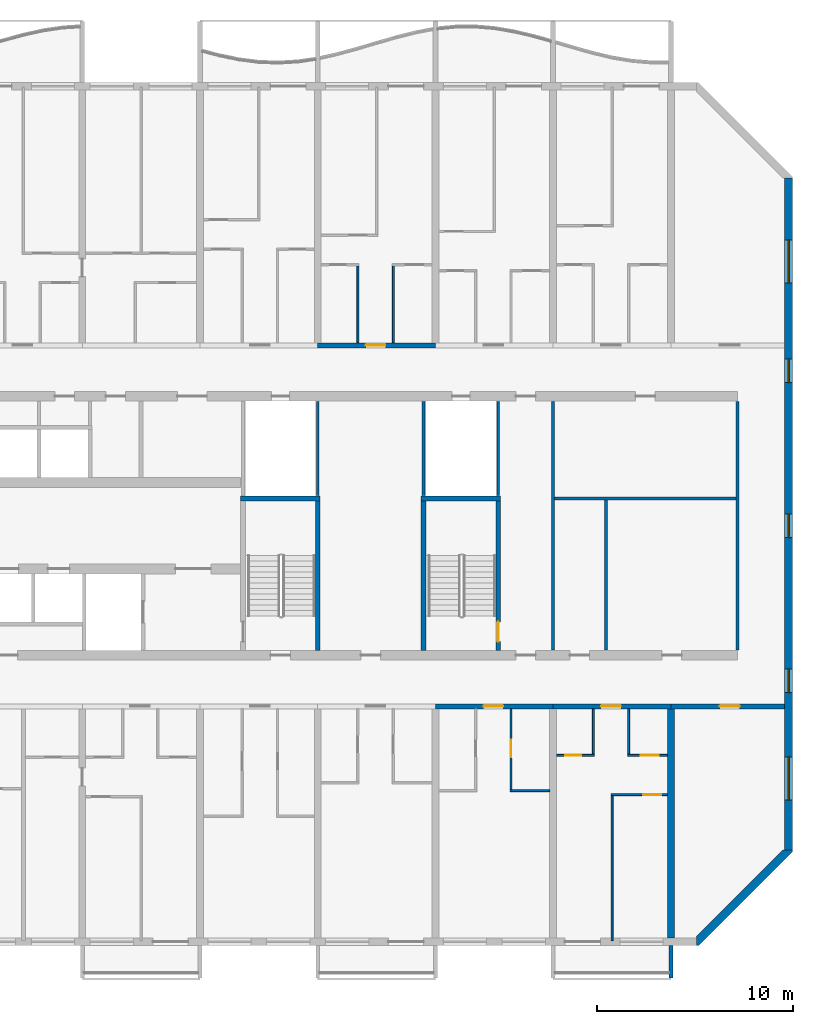
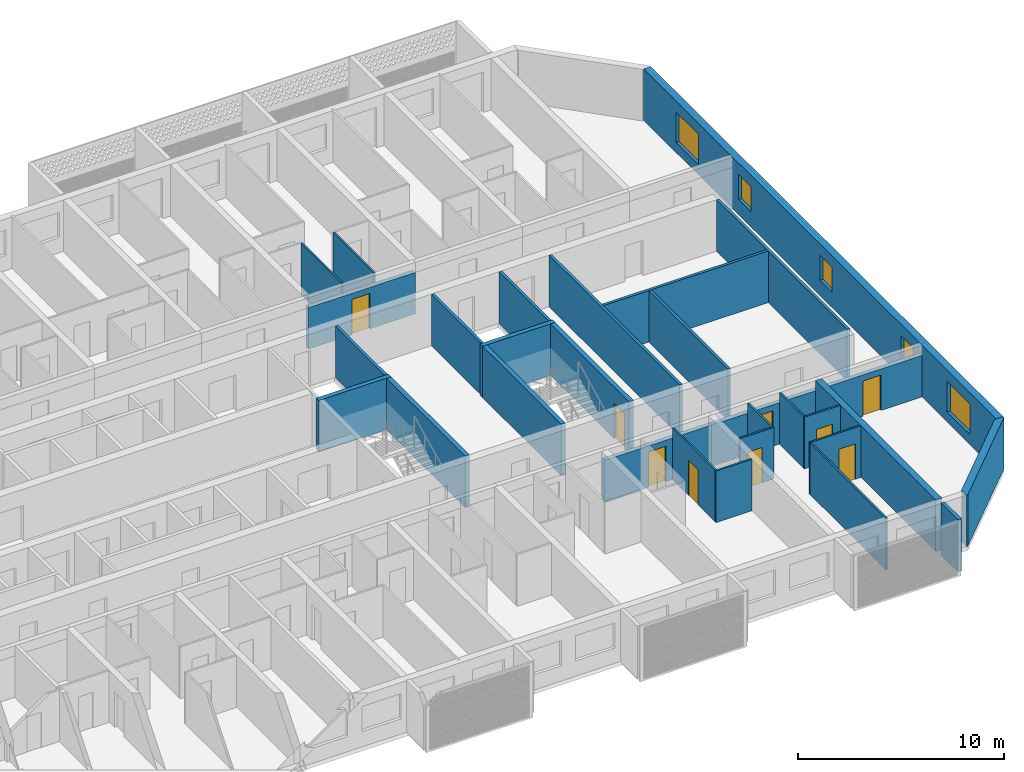
# One storey, part 14 of 27: 30 walls, 9 doors, 5 windows, 14 openings.
"""IFC4 building model written with IfcOpenShell, lengths in metres."""

from ifc_helpers import new_model, si_unit, direction, frame, frame_2d, origin, place, context, subcontext, project, spatial, polyline, rectangle, outline, extrude, source, transform, mapped, material, layer, layer_set, type_object, element, fill, save


model = new_model("IFC4")

# Units and contexts
model_context = context("Model", 3, precision=1e-05, world=origin(), true_north=direction((0.0, 1.0)))
body_context = subcontext(model_context, "Body", "Model", "MODEL_VIEW")
ifc_project = project(units=[si_unit("LENGTHUNIT", "METRE"), si_unit("AREAUNIT", "SQUARE_METRE"), si_unit("VOLUMEUNIT", "CUBIC_METRE"), si_unit("PLANEANGLEUNIT", "RADIAN"), si_unit("MASSUNIT", "GRAM", prefix="KILO")], contexts=[model_context])

# Site, building, storey
site_placement = place(None, origin())
site = spatial("IfcSite", under=ifc_project, at=site_placement, CompositionType="ELEMENT")
building_placement = place(site_placement, origin())
building = spatial("IfcBuilding", under=site, at=building_placement, Name="Poui Terraces", CompositionType="ELEMENT")
storey_placement = place(building_placement, frame((0.0, 0.0, 92.699951171875)))
storey = spatial("IfcBuildingStorey", under=building, at=storey_placement, Name="L25", CompositionType="ELEMENT", Elevation=92.699951171875)

# Walls
ifc_material_1 = material(Name="Fire-rated plasterboard wall")
ifc_layer_1 = layer(ifc_material_1, 0.14990234375)
ifc_layer_set_1 = layer_set([ifc_layer_1], Name="Fire-rated plasterboard wall")
wall_type_1 = type_object("IfcWallType", Name="CORRIDOR WALL 150", PredefinedType="PARTITIONING", material=ifc_layer_set_1)
for number, where, z_axis, x_axis, name in (
    (1, (84.0, 14.860107421875, 0.0), (0.0, 0.0, 1.0), (0.0, 1.0, 0.0), "CORRIDOR WALL 150"),
    (2, (93.39990234375, 14.860107421875, 0.0), (0.0, 0.0, 1.0), (0.0, 1.0, 0.0), "CORRIDOR WALL 150"),
):
    element("IfcWall", number, at=place(storey_placement, frame(where, z_axis=z_axis, x_axis=x_axis)), inside=storey, type_object=wall_type_1, Name=name, PredefinedType="PARTITIONING", context=body_context, shape_type="SweptSolid", body=[
        extrude(rectangle(XDim=12.679931640625, YDim=0.14990234375, at=frame_2d((6.33984375, 0.0))), origin(), (0.0, 0.0, 1.0), 3.06005859375),
    ])

# Wall, opening, door
ifc_material_2 = material(Name="Concrete 65 MPa", Category="concrete")
ifc_layer_2 = layer(ifc_material_2, 0.25)
ifc_layer_set_2 = layer_set([ifc_layer_2], Name="Concrete 65 MPa")
wall_type_2 = type_object("IfcWallType", Name="CORRIDOR WALL 250 65MPa", PredefinedType="SHEAR", material=ifc_layer_set_2)
wall_1_placement = place(storey_placement, frame((78.0, 12.0, 0.0), z_axis=(0.0, 0.0, 1.0), x_axis=(1.0, 0.0, 0.0)))
wall_1 = element("IfcWall", 3, at=wall_1_placement, inside=storey, type_object=wall_type_2, Name="CORRIDOR WALL LINE B BAY 13", PredefinedType="SHEAR", context=body_context, shape_type="SweptSolid", body=[
    extrude(rectangle(XDim=6.0, YDim=0.25, at=frame_2d((3.0, 0.0))), origin(), (0.0, 0.0, 1.0), 2.4599609375),
])
opening_1_placement = place(wall_1_placement, frame((2.449951171875, 0.0, 0.0)))
opening_1 = element("IfcOpeningElement", 4, at=opening_1_placement, cuts=wall_1, Name="Opening FD30S", PredefinedType="OPENING", context=body_context, shape_type="SweptSolid", body=[
    extrude(rectangle(XDim=1.0, YDim=2.10009765625, at=frame_2d((0.5, 1.050048828125))), frame((0.0, 0.135009765625, 0.0), z_axis=(0.0, -1.0, 0.0), x_axis=(1.0, 0.0, 0.0)), (0.0, 0.0, 1.0), 0.27001953125),
])
ifc_material_3 = material(Name="Steel fire door", Category="steel")
door_type_1 = type_object("IfcDoorType", Name="FLAT ENTRANCE DOOR 1000 X 2100", OperationType="NOTDEFINED", PredefinedType="DOOR", material=ifc_material_3)
door_1_placement = place(opening_1_placement, frame((1.0, 0.0, 0.0), z_axis=(0.0, 0.0, 1.0), x_axis=(-1.0, 0.0, 0.0)))
door_1 = element("IfcDoor", 5, at=door_1_placement, inside=storey, type_object=door_type_1, Name="FLAT ENTRANCE DOOR 125", OperationType="SINGLE_SWING_RIGHT", OverallHeight=2.10009765625, OverallWidth=1.0, PredefinedType="DOOR", context=body_context, shape_type="SweptSolid", body=[
    extrude(rectangle(XDim=1.0, YDim=2.10009765625, at=frame_2d((0.5, 1.050048828125))), frame((0.0, 0.02490234375, 0.0), z_axis=(0.0, -1.0, 0.0), x_axis=(1.0, 0.0, 0.0)), (0.0, 0.0, 1.0), 0.050048828125),
])
fill(opening_1, door_1)

wall_2_placement = place(storey_placement, frame((84.0, 12.0, 0.0), z_axis=(0.0, 0.0, 1.0), x_axis=(1.0, 0.0, 0.0)))
wall_2 = element("IfcWall", 6, at=wall_2_placement, inside=storey, type_object=wall_type_2, Name="CORRIDOR WALL LINE B BAY 14", PredefinedType="SHEAR", context=body_context, shape_type="SweptSolid", body=[
    extrude(rectangle(XDim=6.0, YDim=0.25, at=frame_2d((3.0, 0.0))), origin(), (0.0, 0.0, 1.0), 2.4599609375),
])
opening_2_placement = place(wall_2_placement, frame((2.449951171875, 0.0, 0.0)))
opening_2 = element("IfcOpeningElement", 7, at=opening_2_placement, cuts=wall_2, Name="Opening FD30S", PredefinedType="OPENING", context=body_context, shape_type="SweptSolid", body=[
    extrude(rectangle(XDim=1.0, YDim=2.10009765625, at=frame_2d((0.5, 1.050048828125))), frame((0.0, 0.135009765625, 0.0), z_axis=(0.0, -1.0, 0.0), x_axis=(1.0, 0.0, 0.0)), (0.0, 0.0, 1.0), 0.27001953125),
])
door_2_placement = place(opening_2_placement, frame((1.0, 0.0, 0.0), z_axis=(0.0, 0.0, 1.0), x_axis=(-1.0, 0.0, 0.0)))
door_2 = element("IfcDoor", 8, at=door_2_placement, inside=storey, type_object=door_type_1, Name="FLAT ENTRANCE DOOR 128", OperationType="SINGLE_SWING_RIGHT", OverallHeight=2.10009765625, OverallWidth=1.0, PredefinedType="DOOR", context=body_context, shape_type="SweptSolid", body=[
    extrude(rectangle(XDim=1.0, YDim=2.10009765625, at=frame_2d((0.5, 1.050048828125))), frame((0.0, 0.02490234375, 0.0), z_axis=(0.0, -1.0, 0.0), x_axis=(1.0, 0.0, 0.0)), (0.0, 0.0, 1.0), 0.050048828125),
])
fill(opening_2, door_2)

wall_3_placement = place(storey_placement, frame((90.0, 12.0, 0.0), z_axis=(0.0, 0.0, 1.0), x_axis=(1.0, 0.0, 0.0)))
wall_3 = element("IfcWall", 9, at=wall_3_placement, inside=storey, type_object=wall_type_2, Name="CORRIDOR WALL LINE B BAY 15", PredefinedType="SHEAR", context=body_context, shape_type="SweptSolid", body=[
    extrude(rectangle(XDim=5.800048828125, YDim=0.25, at=frame_2d((2.89990234375, 0.0))), origin(), (0.0, 0.0, 1.0), 2.4599609375),
])
opening_3_placement = place(wall_3_placement, frame((2.5, 0.0, 0.0)))
opening_3 = element("IfcOpeningElement", 10, at=opening_3_placement, cuts=wall_3, Name="Opening D100", PredefinedType="OPENING", context=body_context, shape_type="SweptSolid", body=[
    extrude(rectangle(XDim=1.0, YDim=2.10009765625, at=frame_2d((0.5, 1.050048828125))), frame((0.0, 0.135009765625, 0.0), z_axis=(0.0, -1.0, 0.0), x_axis=(1.0, 0.0, 0.0)), (0.0, 0.0, 1.0), 0.27001953125),
])
ifc_material_4 = material(Name="Solid core timber door", Category="wood")
door_type_2 = type_object("IfcDoorType", Name="ACCESSIBLE INTERNAL DOOR 1000 X 2100", OperationType="NOTDEFINED", PredefinedType="DOOR", material=ifc_material_4)
door_3_placement = place(opening_3_placement, frame((1.0, 0.0, 0.0), z_axis=(0.0, 0.0, 1.0), x_axis=(-1.0, 0.0, 0.0)))
door_3 = element("IfcDoor", 11, at=door_3_placement, inside=storey, type_object=door_type_2, Name="ACCESSIBLE INTERNAL DOOR 131", OperationType="SINGLE_SWING_RIGHT", OverallHeight=2.10009765625, OverallWidth=1.0, PredefinedType="DOOR", context=body_context, shape_type="SweptSolid", body=[
    extrude(rectangle(XDim=1.0, YDim=2.10009765625, at=frame_2d((0.5, 1.050048828125))), frame((0.0, 0.02490234375, 0.0), z_axis=(0.0, -1.0, 0.0), x_axis=(1.0, 0.0, 0.0)), (0.0, 0.0, 1.0), 0.050048828125),
])
fill(opening_3, door_3)

wall_4_placement = place(storey_placement, frame((72.0, 30.39990234375, 0.0), z_axis=(0.0, 0.0, 1.0), x_axis=(1.0, 0.0, 0.0)))
wall_4 = element("IfcWall", 12, at=wall_4_placement, inside=storey, type_object=wall_type_2, Name="CORRIDOR WALL LINE E BAY 12", PredefinedType="SHEAR", context=body_context, shape_type="SweptSolid", body=[
    extrude(rectangle(XDim=6.0, YDim=0.25, at=frame_2d((3.0, 0.0))), origin(), (0.0, 0.0, 1.0), 2.4599609375),
])
opening_4_placement = place(wall_4_placement, frame((2.449951171875, 0.0, 0.0)))
opening_4 = element("IfcOpeningElement", 13, at=opening_4_placement, cuts=wall_4, Name="Opening FD30S", PredefinedType="OPENING", context=body_context, shape_type="SweptSolid", body=[
    extrude(rectangle(XDim=1.0, YDim=2.10009765625, at=frame_2d((0.5, 1.050048828125))), frame((0.0, 0.135009765625, 0.0), z_axis=(0.0, -1.0, 0.0), x_axis=(1.0, 0.0, 0.0)), (0.0, 0.0, 1.0), 0.27001953125),
])
door_4_placement = place(opening_4_placement, origin())
door_4 = element("IfcDoor", 14, at=door_4_placement, inside=storey, type_object=door_type_1, Name="FLAT ENTRANCE DOOR 072", OperationType="SINGLE_SWING_LEFT", OverallHeight=2.10009765625, OverallWidth=1.0, PredefinedType="DOOR", context=body_context, shape_type="SweptSolid", body=[
    extrude(rectangle(XDim=1.0, YDim=2.10009765625, at=frame_2d((0.5, 1.050048828125))), frame((0.0, 0.02490234375, 0.0), z_axis=(0.0, -1.0, 0.0), x_axis=(1.0, 0.0, 0.0)), (0.0, 0.0, 1.0), 0.050048828125),
])
fill(opening_4, door_4)

# Wall
ifc_layer_3 = layer(ifc_material_2, 0.35009765625)
ifc_layer_set_3 = layer_set([ifc_layer_3], Name="Concrete 65 MPa")
wall_type_3 = type_object("IfcWallType", Name="CROSS WALL 350 65MPa", PredefinedType="SHEAR", material=ifc_layer_set_3)
wall_5_placement = place(storey_placement, frame((90.0, 0.199951171875, 0.0), z_axis=(0.0, 0.0, 1.0), x_axis=(0.0, 1.0, 0.0)))
element("IfcWall", 15, at=wall_5_placement, inside=storey, type_object=wall_type_3, Name="CROSS WALL LINE 16 SOUTH", PredefinedType="SHEAR", context=body_context, shape_type="SweptSolid", body=[
    extrude(rectangle(XDim=11.675048828125, YDim=0.35009765625, at=frame_2d((5.83740234375, 0.0))), origin(), (0.0, 0.0, 1.0), 3.06005859375),
])

# Wall, openings, windows
ifc_layer_4 = layer(ifc_material_2, 0.39990234375)
ifc_layer_set_4 = layer_set([ifc_layer_4], Name="Concrete 65 MPa")
wall_type_4 = type_object("IfcWallType", Name="END WALL 400 65MPa", PredefinedType="SHEAR", material=ifc_layer_set_4)
wall_6_placement = place(storey_placement, frame((96.0, 4.682861328125, 0.0), z_axis=(0.0, 0.0, 1.0), x_axis=(0.0, 1.0, 0.0)))
wall_6 = element("IfcWall", 16, at=wall_6_placement, inside=storey, type_object=wall_type_4, Name="END WALL EAST", PredefinedType="SHEAR", context=body_context, shape_type="SweptSolid", body=[
    extrude(rectangle(XDim=34.234375, YDim=0.39990234375, at=frame_2d((17.1171875, 0.0))), origin(), (0.0, 0.0, 1.0), 3.06005859375),
])
opening_5_placement = place(wall_6_placement, frame((15.917236328125, 0.0, 0.89990234375)))
opening_5 = element("IfcOpeningElement", 17, at=opening_5_placement, cuts=wall_6, Name="Opening W2", PredefinedType="OPENING", context=body_context, shape_type="SweptSolid", body=[
    extrude(rectangle(XDim=1.199951171875, YDim=1.5, at=frame_2d((0.60009765625, 0.75))), frame((0.0, 0.2099609375, 0.0), z_axis=(0.0, -1.0, 0.0), x_axis=(1.0, 0.0, 0.0)), (0.0, 0.0, 1.0), 0.419921875),
])
opening_6_placement = place(wall_6_placement, frame((23.817138671875, 0.0, 0.89990234375)))
opening_6 = element("IfcOpeningElement", 18, at=opening_6_placement, cuts=wall_6, Name="Opening W2", PredefinedType="OPENING", context=body_context, shape_type="SweptSolid", body=[
    extrude(rectangle(XDim=1.199951171875, YDim=1.5, at=frame_2d((0.60009765625, 0.75))), frame((0.0, 0.2099609375, 0.0), z_axis=(0.0, -1.0, 0.0), x_axis=(1.0, 0.0, 0.0)), (0.0, 0.0, 1.0), 0.419921875),
])
opening_7_placement = place(wall_6_placement, frame((8.01708984375, 0.0, 0.89990234375)))
opening_7 = element("IfcOpeningElement", 19, at=opening_7_placement, cuts=wall_6, Name="Opening W2", PredefinedType="OPENING", context=body_context, shape_type="SweptSolid", body=[
    extrude(rectangle(XDim=1.199951171875, YDim=1.5, at=frame_2d((0.60009765625, 0.75))), frame((0.0, 0.2099609375, 0.0), z_axis=(0.0, -1.0, 0.0), x_axis=(1.0, 0.0, 0.0)), (0.0, 0.0, 1.0), 0.419921875),
])
opening_8_placement = place(wall_6_placement, frame((28.8935546875, 0.0, 0.60009765625)))
opening_8 = element("IfcOpeningElement", 20, at=opening_8_placement, cuts=wall_6, Name="Opening W3", PredefinedType="OPENING", context=body_context, shape_type="SweptSolid", body=[
    extrude(rectangle(XDim=2.199951171875, YDim=1.800048828125, at=frame_2d((1.10009765625, 0.89990234375))), frame((0.0, 0.2099609375, 0.0), z_axis=(0.0, -1.0, 0.0), x_axis=(1.0, 0.0, 0.0)), (0.0, 0.0, 1.0), 0.419921875),
])
opening_9_placement = place(wall_6_placement, frame((2.541015625, 0.0, 0.60009765625)))
opening_9 = element("IfcOpeningElement", 21, at=opening_9_placement, cuts=wall_6, Name="Opening W3", PredefinedType="OPENING", context=body_context, shape_type="SweptSolid", body=[
    extrude(rectangle(XDim=2.199951171875, YDim=1.800048828125, at=frame_2d((1.10009765625, 0.89990234375))), frame((0.0, 0.2099609375, 0.0), z_axis=(0.0, -1.0, 0.0), x_axis=(1.0, 0.0, 0.0)), (0.0, 0.0, 1.0), 0.419921875),
])
ifc_material_5 = material(Name="Clear glass in aluminium frame", Category="aluminium")
window_type_1 = type_object("IfcWindowType", Name="WINDOW 1200X1500", PartitioningType="SINGLE_PANEL", PredefinedType="WINDOW", material=ifc_material_5)
window_1_placement = place(opening_5_placement, origin())
window_1 = element("IfcWindow", 22, at=window_1_placement, inside=storey, type_object=window_type_1, Name="W2 WINDOW", OverallHeight=1.5, OverallWidth=1.199951171875, PartitioningType="SINGLE_PANEL", PredefinedType="WINDOW", context=body_context, shape_type="SweptSolid", body=[
    extrude(rectangle(XDim=1.199951171875, YDim=1.5, at=frame_2d((0.60009765625, 0.75))), frame((0.0, 0.030029296875, 0.0), z_axis=(0.0, -1.0, 0.0), x_axis=(1.0, 0.0, 0.0)), (0.0, 0.0, 1.0), 0.06005859375),
])
fill(opening_5, window_1)
window_2_placement = place(opening_6_placement, origin())
window_2 = element("IfcWindow", 23, at=window_2_placement, inside=storey, type_object=window_type_1, Name="W2 WINDOW", OverallHeight=1.5, OverallWidth=1.199951171875, PartitioningType="SINGLE_PANEL", PredefinedType="WINDOW", context=body_context, shape_type="SweptSolid", body=[
    extrude(rectangle(XDim=1.199951171875, YDim=1.5, at=frame_2d((0.60009765625, 0.75))), frame((0.0, 0.030029296875, 0.0), z_axis=(0.0, -1.0, 0.0), x_axis=(1.0, 0.0, 0.0)), (0.0, 0.0, 1.0), 0.06005859375),
])
fill(opening_6, window_2)
window_3_placement = place(opening_7_placement, origin())
window_3 = element("IfcWindow", 24, at=window_3_placement, inside=storey, type_object=window_type_1, Name="W2 WINDOW", OverallHeight=1.5, OverallWidth=1.199951171875, PartitioningType="SINGLE_PANEL", PredefinedType="WINDOW", context=body_context, shape_type="SweptSolid", body=[
    extrude(rectangle(XDim=1.199951171875, YDim=1.5, at=frame_2d((0.60009765625, 0.75))), frame((0.0, 0.030029296875, 0.0), z_axis=(0.0, -1.0, 0.0), x_axis=(1.0, 0.0, 0.0)), (0.0, 0.0, 1.0), 0.06005859375),
])
fill(opening_7, window_3)
window_type_2 = type_object("IfcWindowType", Name="WINDOW 2200X1800", PartitioningType="DOUBLE_PANEL_HORIZONTAL", PredefinedType="WINDOW", material=ifc_material_5)
window_4_placement = place(opening_8_placement, origin())
window_4 = element("IfcWindow", 25, at=window_4_placement, inside=storey, type_object=window_type_2, Name="W3 WINDOW", OverallHeight=1.800048828125, OverallWidth=2.199951171875, PartitioningType="DOUBLE_PANEL_HORIZONTAL", PredefinedType="WINDOW", context=body_context, shape_type="SweptSolid", body=[
    extrude(rectangle(XDim=2.199951171875, YDim=1.800048828125, at=frame_2d((1.10009765625, 0.89990234375))), frame((0.0, 0.030029296875, 0.0), z_axis=(0.0, -1.0, 0.0), x_axis=(1.0, 0.0, 0.0)), (0.0, 0.0, 1.0), 0.06005859375),
])
fill(opening_8, window_4)
window_5_placement = place(opening_9_placement, origin())
window_5 = element("IfcWindow", 26, at=window_5_placement, inside=storey, type_object=window_type_2, Name="W3 WINDOW", OverallHeight=1.800048828125, OverallWidth=2.199951171875, PartitioningType="DOUBLE_PANEL_HORIZONTAL", PredefinedType="WINDOW", context=body_context, shape_type="SweptSolid", body=[
    extrude(rectangle(XDim=2.199951171875, YDim=1.800048828125, at=frame_2d((1.10009765625, 0.89990234375))), frame((0.0, 0.030029296875, 0.0), z_axis=(0.0, -1.0, 0.0), x_axis=(1.0, 0.0, 0.0)), (0.0, 0.0, 1.0), 0.06005859375),
])
fill(opening_9, window_5)

# Wall, opening, door
ifc_material_6 = material(Name="Plasterboard partition")
ifc_layer_5 = layer(ifc_material_6, 0.10009765625)
ifc_layer_set_5 = layer_set([ifc_layer_5], Name="Plasterboard partition")
wall_type_5 = type_object("IfcWallType", Name="FLAT PARTITION 100", PredefinedType="PARTITIONING", material=ifc_layer_set_5)
wall_7_placement = place(storey_placement, frame((86.949951171875, 7.5, 0.0), z_axis=(0.0, 0.0, 1.0), x_axis=(1.0, 0.0, 0.0)))
wall_7 = element("IfcWall", 27, at=wall_7_placement, inside=storey, type_object=wall_type_5, Name="FLAT PARTITION 100", PredefinedType="PARTITIONING", context=body_context, shape_type="SweptSolid", body=[
    extrude(rectangle(XDim=2.864990234375, YDim=0.10009765625, at=frame_2d((1.4326171875, 0.0))), origin(), (0.0, 0.0, 1.0), 3.06005859375),
])
opening_10_placement = place(wall_7_placement, frame((1.64990234375, 0.0, 0.0)))
opening_10 = element("IfcOpeningElement", 28, at=opening_10_placement, cuts=wall_7, Name="Opening D90", PredefinedType="OPENING", context=body_context, shape_type="SweptSolid", body=[
    extrude(rectangle(XDim=0.89990234375, YDim=2.10009765625, at=frame_2d((0.449951171875, 1.050048828125))), frame((0.0, 0.06005859375, 0.0), z_axis=(0.0, -1.0, 0.0), x_axis=(1.0, 0.0, 0.0)), (0.0, 0.0, 1.0), 0.1201171875),
])
door_type_3 = type_object("IfcDoorType", Name="INTERNAL DOOR 900 X 2100", OperationType="NOTDEFINED", PredefinedType="DOOR", material=ifc_material_4)
door_5_placement = place(opening_10_placement, origin())
door_5 = element("IfcDoor", 29, at=door_5_placement, inside=storey, type_object=door_type_3, Name="INTERNAL DOOR 130", OperationType="SINGLE_SWING_LEFT", OverallHeight=2.10009765625, OverallWidth=0.89990234375, PredefinedType="DOOR", context=body_context, shape_type="SweptSolid", body=[
    extrude(rectangle(XDim=0.89990234375, YDim=2.10009765625, at=frame_2d((0.449951171875, 1.050048828125))), frame((0.0, 0.02490234375, 0.0), z_axis=(0.0, -1.0, 0.0), x_axis=(1.0, 0.0, 0.0)), (0.0, 0.0, 1.0), 0.050048828125),
])
fill(opening_10, door_5)

# Wall
wall_8_placement = place(storey_placement, frame((81.800048828125, 7.699951171875, 0.0), z_axis=(0.0, 0.0, 1.0), x_axis=(1.0, 0.0, 0.0)))
element("IfcWall", 30, at=wall_8_placement, inside=storey, type_object=wall_type_5, Name="FLAT PARTITION 100", PredefinedType="PARTITIONING", context=body_context, shape_type="SweptSolid", body=[
    extrude(rectangle(XDim=2.014892578125, YDim=0.10009765625, at=frame_2d((1.00732421875, 0.0))), origin(), (0.0, 0.0, 1.0), 3.06005859375),
])

# Wall, opening, door
wall_9_placement = place(storey_placement, frame((84.18505859375, 9.5, 0.0), z_axis=(0.0, 0.0, 1.0), x_axis=(1.0, 0.0, 0.0)))
wall_9 = element("IfcWall", 31, at=wall_9_placement, inside=storey, type_object=wall_type_5, Name="FLAT PARTITION 100", PredefinedType="PARTITIONING", context=body_context, shape_type="SweptSolid", body=[
    extrude(rectangle(XDim=1.9150390625, YDim=0.10009765625, at=frame_2d((0.95751953125, 0.0))), origin(), (0.0, 0.0, 1.0), 3.06005859375),
])
opening_11_placement = place(wall_9_placement, frame((0.43994140625, 0.0, 0.0)))
opening_11 = element("IfcOpeningElement", 32, at=opening_11_placement, cuts=wall_9, Name="Opening D80", PredefinedType="OPENING", context=body_context, shape_type="SweptSolid", body=[
    extrude(rectangle(XDim=0.800048828125, YDim=2.10009765625, at=frame_2d((0.39990234375, 1.050048828125))), frame((0.0, 0.06005859375, 0.0), z_axis=(0.0, -1.0, 0.0), x_axis=(1.0, 0.0, 0.0)), (0.0, 0.0, 1.0), 0.1201171875),
])
door_type_4 = type_object("IfcDoorType", Name="BATHROOM, LAUNDRY AND STORE DOOR 800 X 2100", OperationType="NOTDEFINED", PredefinedType="DOOR", material=ifc_material_4)
door_6_placement = place(opening_11_placement, origin())
door_6 = element("IfcDoor", 33, at=door_6_placement, inside=storey, type_object=door_type_4, Name="BATHROOM, LAUNDRY AND STORE DOOR 127", OperationType="SINGLE_SWING_LEFT", OverallHeight=2.10009765625, OverallWidth=0.800048828125, PredefinedType="DOOR", context=body_context, shape_type="SweptSolid", body=[
    extrude(rectangle(XDim=0.800048828125, YDim=2.10009765625, at=frame_2d((0.39990234375, 1.050048828125))), frame((0.0, 0.02490234375, 0.0), z_axis=(0.0, -1.0, 0.0), x_axis=(1.0, 0.0, 0.0)), (0.0, 0.0, 1.0), 0.050048828125),
])
fill(opening_11, door_6)

wall_10_placement = place(storey_placement, frame((87.800048828125, 9.5, 0.0), z_axis=(0.0, 0.0, 1.0), x_axis=(1.0, 0.0, 0.0)))
wall_10 = element("IfcWall", 34, at=wall_10_placement, inside=storey, type_object=wall_type_5, Name="FLAT PARTITION 100", PredefinedType="PARTITIONING", context=body_context, shape_type="SweptSolid", body=[
    extrude(rectangle(XDim=2.014892578125, YDim=0.10009765625, at=frame_2d((1.00732421875, 0.0))), origin(), (0.0, 0.0, 1.0), 3.06005859375),
])
opening_12_placement = place(wall_10_placement, frame((0.675048828125, 0.0, 0.0)))
opening_12 = element("IfcOpeningElement", 35, at=opening_12_placement, cuts=wall_10, Name="Opening D90", PredefinedType="OPENING", context=body_context, shape_type="SweptSolid", body=[
    extrude(rectangle(XDim=0.89990234375, YDim=2.10009765625, at=frame_2d((0.449951171875, 1.050048828125))), frame((0.0, 0.06005859375, 0.0), z_axis=(0.0, -1.0, 0.0), x_axis=(1.0, 0.0, 0.0)), (0.0, 0.0, 1.0), 0.1201171875),
])
door_7_placement = place(opening_12_placement, origin())
door_7 = element("IfcDoor", 36, at=door_7_placement, inside=storey, type_object=door_type_3, Name="INTERNAL DOOR 129", OperationType="SINGLE_SWING_RIGHT", OverallHeight=2.10009765625, OverallWidth=0.89990234375, PredefinedType="DOOR", context=body_context, shape_type="SweptSolid", body=[
    extrude(rectangle(XDim=0.89990234375, YDim=2.10009765625, at=frame_2d((0.449951171875, 1.050048828125))), frame((0.0, 0.02490234375, 0.0), z_axis=(0.0, -1.0, 0.0), x_axis=(1.0, 0.0, 0.0)), (0.0, 0.0, 1.0), 0.050048828125),
])
fill(opening_12, door_7)

# Walls
for number, where, z_axis, x_axis, name in (
    (37, (74.050048828125, 30.534912109375, 0.0), (0.0, 0.0, 1.0), (0.0, 1.0, 0.0), "FLAT PARTITION 100"),
    (38, (75.85009765625, 30.534912109375, 0.0), (0.0, 0.0, 1.0), (0.0, 1.0, 0.0), "FLAT PARTITION 100"),
):
    element("IfcWall", number, at=place(storey_placement, frame(where, z_axis=z_axis, x_axis=x_axis)), inside=storey, type_object=wall_type_5, Name=name, PredefinedType="PARTITIONING", context=body_context, shape_type="SweptSolid", body=[
        extrude(rectangle(XDim=3.9150390625, YDim=0.10009765625, at=frame_2d((1.95751953125, 0.0))), origin(), (0.0, 0.0, 1.0), 3.06005859375),
    ])

# Wall, opening, door
wall_11_placement = place(storey_placement, frame((81.85009765625, 7.75, 0.0), z_axis=(0.0, 0.0, 1.0), x_axis=(0.0, 1.0, 0.0)))
wall_11 = element("IfcWall", 39, at=wall_11_placement, inside=storey, type_object=wall_type_5, Name="FLAT PARTITION 100", PredefinedType="PARTITIONING", context=body_context, shape_type="SweptSolid", body=[
    extrude(rectangle(XDim=4.114990234375, YDim=0.10009765625, at=frame_2d((2.0576171875, 0.0))), origin(), (0.0, 0.0, 1.0), 3.06005859375),
])
opening_13_placement = place(wall_11_placement, frame((1.64990234375, 0.0, 0.0)))
opening_13 = element("IfcOpeningElement", 40, at=opening_13_placement, cuts=wall_11, Name="Opening D90", PredefinedType="OPENING", context=body_context, shape_type="SweptSolid", body=[
    extrude(rectangle(XDim=0.89990234375, YDim=2.10009765625, at=frame_2d((0.449951171875, 1.050048828125))), frame((0.0, 0.06005859375, 0.0), z_axis=(0.0, -1.0, 0.0), x_axis=(1.0, 0.0, 0.0)), (0.0, 0.0, 1.0), 0.1201171875),
])
door_8_placement = place(opening_13_placement, frame((0.89990234375, 0.0, 0.0), z_axis=(0.0, 0.0, 1.0), x_axis=(-1.0, 0.0, 0.0)))
door_8 = element("IfcDoor", 41, at=door_8_placement, inside=storey, type_object=door_type_3, Name="INTERNAL DOOR 126", OperationType="SINGLE_SWING_LEFT", OverallHeight=2.10009765625, OverallWidth=0.89990234375, PredefinedType="DOOR", context=body_context, shape_type="SweptSolid", body=[
    extrude(rectangle(XDim=0.89990234375, YDim=2.10009765625, at=frame_2d((0.449951171875, 1.050048828125))), frame((0.0, 0.02490234375, 0.0), z_axis=(0.0, -1.0, 0.0), x_axis=(1.0, 0.0, 0.0)), (0.0, 0.0, 1.0), 0.050048828125),
])
fill(opening_13, door_8)

# Walls
wall_12_placement = place(storey_placement, frame((86.050048828125, 9.550048828125, 0.0), z_axis=(0.0, 0.0, 1.0), x_axis=(0.0, 1.0, 0.0)))
element("IfcWall", 42, at=wall_12_placement, inside=storey, type_object=wall_type_5, Name="FLAT PARTITION 100", PredefinedType="PARTITIONING", context=body_context, shape_type="SweptSolid", body=[
    extrude(rectangle(XDim=2.31494140625, YDim=0.10009765625, at=frame_2d((1.157470703125, 0.0))), origin(), (0.0, 0.0, 1.0), 3.06005859375),
])
wall_13_placement = place(storey_placement, frame((87.0, 0.06005859375, 0.0), z_axis=(0.0, 0.0, 1.0), x_axis=(0.0, 1.0, 0.0)))
element("IfcWall", 43, at=wall_13_placement, inside=storey, type_object=wall_type_5, Name="FLAT PARTITION 100", PredefinedType="PARTITIONING", context=body_context, shape_type="SweptSolid", body=[
    extrude(rectangle(XDim=7.389892578125, YDim=0.10009765625, at=frame_2d((3.69482421875, 0.0))), origin(), (0.0, 0.0, 1.0), 3.06005859375),
])
wall_14_placement = place(storey_placement, frame((87.85009765625, 9.550048828125, 0.0), z_axis=(0.0, 0.0, 1.0), x_axis=(0.0, 1.0, 0.0)))
element("IfcWall", 44, at=wall_14_placement, inside=storey, type_object=wall_type_5, Name="FLAT PARTITION 100", PredefinedType="PARTITIONING", context=body_context, shape_type="SweptSolid", body=[
    extrude(rectangle(XDim=2.31494140625, YDim=0.10009765625, at=frame_2d((1.157470703125, 0.0))), origin(), (0.0, 0.0, 1.0), 3.06005859375),
])
ifc_layer_6 = layer(ifc_material_6, 0.14990234375)
ifc_layer_set_6 = layer_set([ifc_layer_6], Name="Plasterboard partition")
wall_type_6 = type_object("IfcWallType", Name="PARTITION WALL 150", PredefinedType="PARTITIONING", material=ifc_layer_set_6)
wall_15_placement = place(storey_placement, frame((84.074951171875, 22.60009765625, 0.0), z_axis=(0.0, 0.0, 1.0), x_axis=(1.0, 0.0, 0.0)))
element("IfcWall", 45, at=wall_15_placement, inside=storey, type_object=wall_type_6, Name="PARTITION WALL 150", PredefinedType="PARTITIONING", context=body_context, shape_type="SweptSolid", body=[
    extrude(rectangle(XDim=9.25, YDim=0.14990234375, at=frame_2d((4.625, 0.0))), origin(), (0.0, 0.0, 1.0), 3.06005859375),
])
wall_16_placement = place(storey_placement, frame((86.699951171875, 14.860107421875, 0.0), z_axis=(0.0, 0.0, 1.0), x_axis=(0.0, 1.0, 0.0)))
element("IfcWall", 46, at=wall_16_placement, inside=storey, type_object=wall_type_6, Name="PARTITION WALL 150", PredefinedType="PARTITIONING", context=body_context, shape_type="SweptSolid", body=[
    extrude(rectangle(XDim=7.664794921875, YDim=0.14990234375, at=frame_2d((3.83251953125, 0.0))), origin(), (0.0, 0.0, 1.0), 3.06005859375),
])
ifc_material_7 = material(Name="Fire-rated plasterboard riser wall")
ifc_layer_7 = layer(ifc_material_7, 0.14990234375)
ifc_layer_set_7 = layer_set([ifc_layer_7], Name="Fire-rated plasterboard riser wall")
wall_type_7 = type_object("IfcWallType", Name="RISER WALL 150", PredefinedType="PARTITIONING", material=ifc_layer_set_7)
for number, where, z_axis, x_axis, name in (
    (47, (72.0, 22.735107421875, 0.0), (0.0, 0.0, 1.0), (0.0, 1.0, 0.0), "RISER WALL 150"),
    (48, (77.39990234375, 22.735107421875, 0.0), (0.0, 0.0, 1.0), (0.0, 1.0, 0.0), "RISER WALL 150"),
    (49, (81.199951171875, 22.735107421875, 0.0), (0.0, 0.0, 1.0), (0.0, 1.0, 0.0), "RISER WALL 150"),
):
    element("IfcWall", number, at=place(storey_placement, frame(where, z_axis=z_axis, x_axis=x_axis)), inside=storey, type_object=wall_type_7, Name=name, PredefinedType="PARTITIONING", context=body_context, shape_type="SweptSolid", body=[
        extrude(rectangle(XDim=4.804931640625, YDim=0.14990234375, at=frame_2d((2.40234375, 0.0))), origin(), (0.0, 0.0, 1.0), 3.06005859375),
    ])
ifc_layer_8 = layer(ifc_material_2, 0.25)
ifc_layer_set_8 = layer_set([ifc_layer_8], Name="Concrete 65 MPa")
wall_type_8 = type_object("IfcWallType", Name="STAIR CORE WALL 250 65 MPA", PredefinedType="SOLIDWALL", material=ifc_layer_set_8)
wall_17_placement = place(storey_placement, frame((72.0, 14.85009765625, 0.0), z_axis=(0.0, 0.0, 1.0), x_axis=(0.0, 1.0, 0.0)))
element("IfcWall", 50, at=wall_17_placement, inside=storey, type_object=wall_type_8, Name="STAIR CORE WALL", PredefinedType="SOLIDWALL", context=body_context, shape_type="SweptSolid", body=[
    extrude(rectangle(XDim=7.625, YDim=0.25, at=frame_2d((3.8125, 0.0))), origin(), (0.0, 0.0, 1.0), 3.06005859375),
])
wall_18_placement = place(storey_placement, frame((68.074951171875, 22.60009765625, 0.0), z_axis=(0.0, 0.0, 1.0), x_axis=(1.0, 0.0, 0.0)))
element("IfcWall", 51, at=wall_18_placement, inside=storey, type_object=wall_type_8, Name="STAIR CORE WALL", PredefinedType="SOLIDWALL", context=body_context, shape_type="SweptSolid", body=[
    extrude(rectangle(XDim=4.050048828125, YDim=0.25, at=frame_2d((2.02490234375, 0.0))), origin(), (0.0, 0.0, 1.0), 3.06005859375),
])
wall_19_placement = place(storey_placement, frame((77.39990234375, 14.85009765625, 0.0), z_axis=(0.0, 0.0, 1.0), x_axis=(0.0, 1.0, 0.0)))
element("IfcWall", 52, at=wall_19_placement, inside=storey, type_object=wall_type_8, Name="STAIR CORE WALL", PredefinedType="SOLIDWALL", context=body_context, shape_type="SweptSolid", body=[
    extrude(rectangle(XDim=7.625, YDim=0.25, at=frame_2d((3.8125, 0.0))), origin(), (0.0, 0.0, 1.0), 3.06005859375),
])

# Wall, opening, door
wall_20_placement = place(storey_placement, frame((81.199951171875, 14.85009765625, 0.0), z_axis=(0.0, 0.0, 1.0), x_axis=(0.0, 1.0, 0.0)))
wall_20 = element("IfcWall", 53, at=wall_20_placement, inside=storey, type_object=wall_type_8, Name="STAIR CORE WALL", PredefinedType="SOLIDWALL", context=body_context, shape_type="SweptSolid", body=[
    extrude(rectangle(XDim=7.625, YDim=0.25, at=frame_2d((3.8125, 0.0))), origin(), (0.0, 0.0, 1.0), 3.06005859375),
])
opening_14_placement = place(wall_20_placement, frame((0.449951171875, 0.0, 0.0)))
opening_14 = element("IfcOpeningElement", 54, at=opening_14_placement, cuts=wall_20, Name="Opening FD60S", PredefinedType="OPENING", context=body_context, shape_type="SweptSolid", body=[
    extrude(rectangle(XDim=1.0, YDim=2.10009765625, at=frame_2d((0.5, 1.050048828125))), frame((0.0, 0.135009765625, 0.0), z_axis=(0.0, -1.0, 0.0), x_axis=(1.0, 0.0, 0.0)), (0.0, 0.0, 1.0), 0.27001953125),
])
door_type_5 = type_object("IfcDoorType", Name="STAIR DOOR 1000 X 2100", OperationType="NOTDEFINED", PredefinedType="DOOR", material=ifc_material_3)
door_9_placement = place(opening_14_placement, origin())
door_9 = element("IfcDoor", 55, at=door_9_placement, inside=storey, type_object=door_type_5, Name="STAIR DOOR 147", OperationType="SINGLE_SWING_LEFT", OverallHeight=2.10009765625, OverallWidth=1.0, PredefinedType="DOOR", context=body_context, shape_type="SweptSolid", body=[
    extrude(rectangle(XDim=1.0, YDim=2.10009765625, at=frame_2d((0.5, 1.050048828125))), frame((0.0, 0.02490234375, 0.0), z_axis=(0.0, -1.0, 0.0), x_axis=(1.0, 0.0, 0.0)), (0.0, 0.0, 1.0), 0.050048828125),
])
fill(opening_14, door_9)

# Walls
wall_21_placement = place(storey_placement, frame((77.27490234375, 22.60009765625, 0.0), z_axis=(0.0, 0.0, 1.0), x_axis=(1.0, 0.0, 0.0)))
element("IfcWall", 56, at=wall_21_placement, inside=storey, type_object=wall_type_8, Name="STAIR CORE WALL", PredefinedType="SOLIDWALL", context=body_context, shape_type="SweptSolid", body=[
    extrude(rectangle(XDim=4.050048828125, YDim=0.25, at=frame_2d((2.02490234375, 0.0))), origin(), (0.0, 0.0, 1.0), 3.06005859375),
])
ifc_material_8 = material(Name="Precast concrete 40 MPa", Category="concrete")
ifc_layer_9 = layer(ifc_material_8, 0.39990234375)
ifc_layer_set_9 = layer_set([ifc_layer_9], Name="Precast concrete 40 MPa")
wall_type_9 = type_object("IfcWallType", Name="TERRACOTTA CLAD CHAMFER WALL 400", PredefinedType="STANDARD", material=ifc_layer_set_9)
wall_22_placement = place(storey_placement, origin())
element("IfcWall", 57, at=wall_22_placement, inside=storey, type_object=wall_type_9, Name="CHAMFER WALL CH01", PredefinedType="STANDARD", context=body_context, shape_type="SweptSolid", body=[
    extrude(outline(polyline([(91.317138671875, -0.199951171875), (91.39990234375, -0.199951171875), (96.199951171875, 4.60009765625), (96.199951171875, 4.682861328125), (95.71728515625, 4.682861328125), (91.317138671875, 0.28271484375), (91.317138671875, -0.199951171875)])), origin(), (0.0, 0.0, 1.0), 3.06005859375),
])
ifc_layer_10 = layer(ifc_material_8, 0.199951171875)
ifc_layer_set_10 = layer_set([ifc_layer_10], Name="Precast concrete 40 MPa")
wall_type_10 = type_object("IfcWallType", Name="REAR FIN 200", PredefinedType="STANDARD", material=ifc_layer_set_10)
shared_shape = source(origin(), body_context, "Body", "SweptSolid", [
    extrude(outline(polyline([(0.0, 0.0), (0.2001953125, 0.0), (0.2001953125, 1.650146484375), (0.0, 1.650146484375), (0.0, 0.0)])), origin(), (0.0, 0.0, 1.0), 3.10009765625),
])
wall_23_placement = place(storey_placement, frame((89.89990234375, -1.85009765625, 0.0)))
element("IfcWall", 58, at=wall_23_placement, inside=storey, type_object=wall_type_10, Name="REAR FIN", PredefinedType="STANDARD", context=body_context, shape_type="MappedRepresentation", body=[
    mapped(shared_shape, transform((0.0, 0.0, 0.0))),
])

save(model, "model.ifc")
